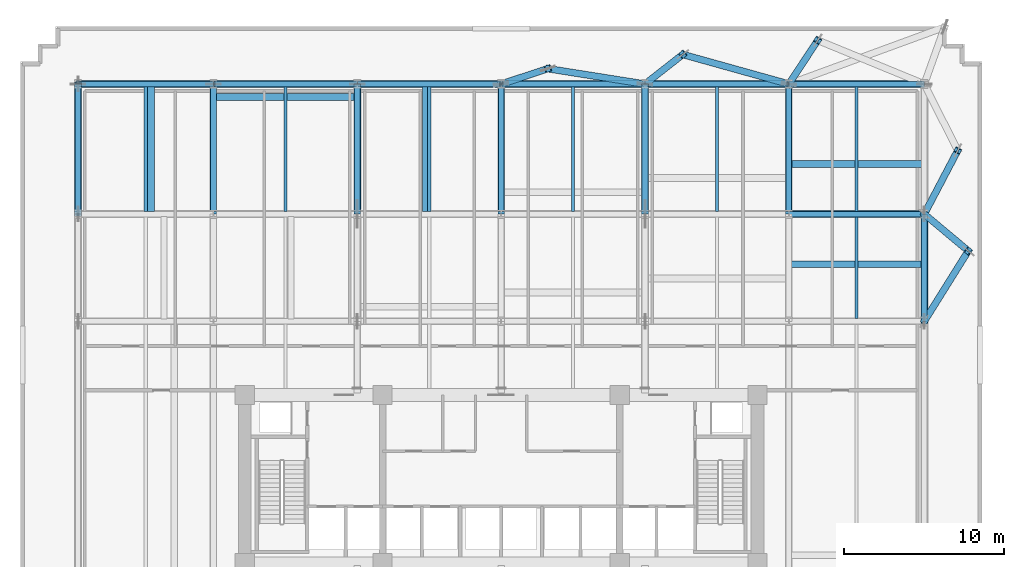
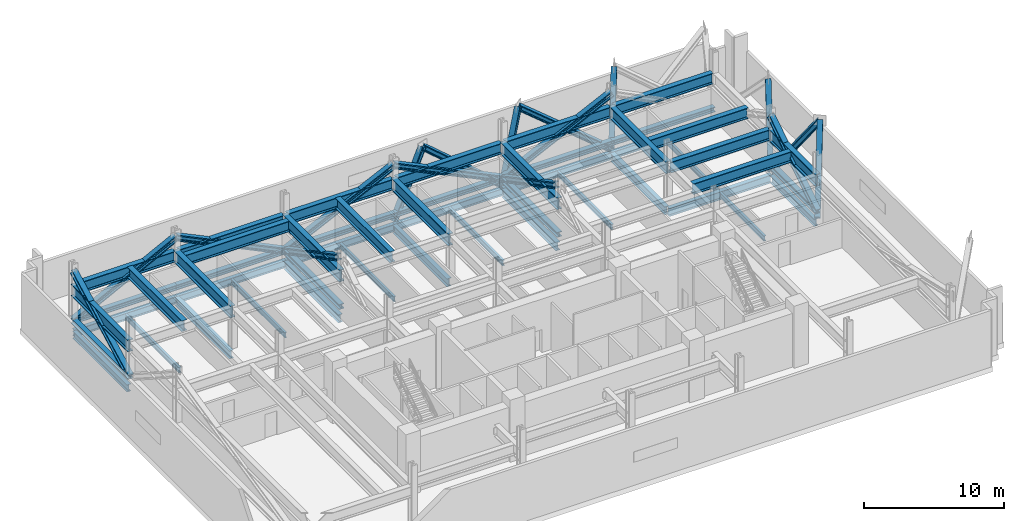
# One storey, part 3 of 9: 40 beams, 27 members.
"""IFC4 building model written with IfcOpenShell, lengths in metres."""

from ifc_helpers import new_model, si_unit, direction, frame, origin, origin_2d, place, context, subcontext, project, spatial, i_section, extrude, material, material_profile, profile_set, type_object, element, save


model = new_model("IFC4")

# Units and contexts
model_context = context("Model", 3, precision=1e-05, world=origin(), true_north=direction((0.0, 1.0)))
body_context = subcontext(model_context, "Body", "Model", "MODEL_VIEW")
ifc_project = project(units=[si_unit("LENGTHUNIT", "METRE"), si_unit("AREAUNIT", "SQUARE_METRE"), si_unit("VOLUMEUNIT", "CUBIC_METRE"), si_unit("PLANEANGLEUNIT", "RADIAN"), si_unit("MASSUNIT", "GRAM", prefix="KILO")], contexts=[model_context])

# Site, building, storey
site_placement = place(None, origin())
site = spatial("IfcSite", under=ifc_project, at=site_placement, CompositionType="ELEMENT")
building_placement = place(site_placement, origin())
building = spatial("IfcBuilding", under=site, at=building_placement, Name="Solmavex Isthmus Hotel", CompositionType="ELEMENT")
storey_placement = place(building_placement, frame((0.0, 0.0, 74.699951171875)))
storey = spatial("IfcBuildingStorey", under=building, at=storey_placement, Name="L20", CompositionType="ELEMENT", Elevation=74.699951171875)

# Beams
ifc_material_1 = material(Name="Steel ASTM A992 Grade 50", Category="steel")
ifc_material_profile_1 = material_profile(ifc_material_1, i_section(OverallWidth=0.354736328125, OverallDepth=0.695556640625, WebThickness=0.015380859375, FlangeThickness=0.02490234375, FilletRadius=0.017822265625, at=origin_2d()), Name="W27X146")
ifc_profile_set_1 = profile_set([ifc_material_profile_1], Name="Steel ASTM A992 Grade 50")
beam_type_1 = type_object("IfcBeamType", Name="BM-BG-W27X146", PredefinedType="BEAM", material=ifc_profile_set_1)
beam_1_placement = place(storey_placement, frame((17.951904296875, 8.7880859375, -0.797607421875), z_axis=(1.0, 0.0, 0.0), x_axis=(0.0, 1.0, 0.0)))
element("IfcBeam", 1, at=beam_1_placement, inside=storey, type_object=beam_type_1, Name="Floor Girder L20-UG18", PredefinedType="BEAM", context=body_context, shape_type="SweptSolid", body=[
    extrude(i_section(OverallWidth=0.354736328125, OverallDepth=0.695556640625, WebThickness=0.015380859375, FlangeThickness=0.02490234375, FilletRadius=0.017822265625, at=origin_2d()), origin(), (0.0, 0.0, 1.0), 8.447998046875),
])
for number, where, z_axis, x_axis, name in (
    (2, (-17.951904296875, 8.96533203125, -0.797607421875), (0.0, 1.0, 0.0), (-1.0, 0.0, 0.0), "Floor Beam L20-VG30"),
    (3, (-8.97607421875, 8.96533203125, -0.797607421875), (0.0, 1.0, 0.0), (-1.0, 0.0, 0.0), "Floor Beam L20-VG34"),
    (4, (0.0, 8.96533203125, -0.797607421875), (0.0, 1.0, 0.0), (-1.0, 0.0, 0.0), "Floor Beam L20-VG38"),
    (5, (8.97607421875, 8.96533203125, -0.797607421875), (0.0, 1.0, 0.0), (-1.0, 0.0, 0.0), "Floor Beam L20-VG42"),
    (6, (17.951904296875, 8.96533203125, -0.797607421875), (0.0, 1.0, 0.0), (-1.0, 0.0, 0.0), "Floor Beam L20-VG45"),
):
    element("IfcBeam", number, at=place(storey_placement, frame(where, z_axis=z_axis, x_axis=x_axis)), inside=storey, type_object=beam_type_1, Name=name, PredefinedType="BEAM", context=body_context, shape_type="SweptSolid", body=[
        extrude(i_section(OverallWidth=0.354736328125, OverallDepth=0.695556640625, WebThickness=0.015380859375, FlangeThickness=0.02490234375, FilletRadius=0.017822265625, at=origin_2d()), origin(), (0.0, 0.0, 1.0), 7.771484375),
    ])
ifc_material_profile_2 = material_profile(ifc_material_1, i_section(OverallWidth=0.1904296875, OverallDepth=0.456787109375, WebThickness=0.009033203125, FlangeThickness=0.014404296875, FilletRadius=0.0126953125, at=origin_2d()), Name="W18X50")
ifc_profile_set_2 = profile_set([ifc_material_profile_2], Name="Steel ASTM A992 Grade 50")
beam_type_2 = type_object("IfcBeamType", Name="BM-BJ-W18X50", PredefinedType="JOIST", material=ifc_profile_set_2)
for number, where, z_axis, x_axis, name in (
    (7, (-22.176025390625, 8.96533203125, -0.678466796875), (0.0, 1.0, 0.0), (-1.0, 0.0, 0.0), "Secondary Floor Joist L20-J03"),
    (8, (-13.464111328125, 8.96533203125, -0.678466796875), (0.0, 1.0, 0.0), (-1.0, 0.0, 0.0), "Secondary Floor Joist L20-J07"),
    (9, (-4.488037109375, 8.96533203125, -0.678466796875), (0.0, 1.0, 0.0), (-1.0, 0.0, 0.0), "Secondary Floor Joist L20-J11"),
    (10, (4.488037109375, 8.96533203125, -0.678466796875), (0.0, 1.0, 0.0), (-1.0, 0.0, 0.0), "Secondary Floor Joist L20-J15"),
    (11, (13.464111328125, 8.96533203125, -0.678466796875), (0.0, 1.0, 0.0), (-1.0, 0.0, 0.0), "Secondary Floor Joist L20-J19"),
):
    element("IfcBeam", number, at=place(storey_placement, frame(where, z_axis=z_axis, x_axis=x_axis)), inside=storey, type_object=beam_type_2, Name=name, PredefinedType="JOIST", context=body_context, shape_type="SweptSolid", body=[
        extrude(i_section(OverallWidth=0.1904296875, OverallDepth=0.456787109375, WebThickness=0.009033203125, FlangeThickness=0.014404296875, FilletRadius=0.0126953125, at=origin_2d()), origin(), (0.0, 0.0, 1.0), 7.771484375),
    ])
beam_2_placement = place(storey_placement, frame((22.176025390625, 2.27734375, -0.678466796875), z_axis=(0.0, 1.0, 0.0), x_axis=(-1.0, 0.0, 0.0)))
element("IfcBeam", 12, at=beam_2_placement, inside=storey, type_object=beam_type_2, Name="Secondary Floor Joist L20-J21", PredefinedType="JOIST", context=body_context, shape_type="SweptSolid", body=[
    extrude(i_section(OverallWidth=0.1904296875, OverallDepth=0.456787109375, WebThickness=0.009033203125, FlangeThickness=0.014404296875, FilletRadius=0.0126953125, at=origin_2d()), origin(), (0.0, 0.0, 1.0), 6.333251953125),
])
beam_3_placement = place(storey_placement, frame((22.176025390625, 8.96533203125, -0.678466796875), z_axis=(0.0, 1.0, 0.0), x_axis=(-1.0, 0.0, 0.0)))
element("IfcBeam", 13, at=beam_3_placement, inside=storey, type_object=beam_type_2, Name="Secondary Floor Joist L20-J22", PredefinedType="JOIST", context=body_context, shape_type="SweptSolid", body=[
    extrude(i_section(OverallWidth=0.1904296875, OverallDepth=0.456787109375, WebThickness=0.009033203125, FlangeThickness=0.014404296875, FilletRadius=0.0126953125, at=origin_2d()), origin(), (0.0, 0.0, 1.0), 7.771484375),
])
ifc_material_profile_3 = material_profile(ifc_material_1, i_section(OverallWidth=0.326416015625, OverallDepth=0.621826171875, WebThickness=0.015380859375, FlangeThickness=0.0244140625, FilletRadius=0.01513671875, at=origin_2d()), Name="W24X131")
ifc_profile_set_3 = profile_set([ifc_material_profile_3], Name="Steel ASTM A992 Grade 50")
beam_type_3 = type_object("IfcBeamType", Name="BM-SP-W24X131", PredefinedType="SPANDREL", material=ifc_profile_set_3)
beam_4_placement = place(storey_placement, frame((-26.39990234375, 16.89990234375, -0.7607421875), z_axis=(1.0, 0.0, 0.0), x_axis=(0.0, 1.0, 0.0)))
element("IfcBeam", 14, at=beam_4_placement, inside=storey, type_object=beam_type_3, Name="Floor Girder L20-UG19", PredefinedType="SPANDREL", context=body_context, shape_type="SweptSolid", body=[
    extrude(i_section(OverallWidth=0.326416015625, OverallDepth=0.621826171875, WebThickness=0.015380859375, FlangeThickness=0.0244140625, FilletRadius=0.01513671875, at=origin_2d()), origin(), (0.0, 0.0, 1.0), 8.447998046875),
])
beam_5_placement = place(storey_placement, frame((-17.951904296875, 16.89990234375, -0.7607421875), z_axis=(1.0, 0.0, 0.0), x_axis=(0.0, 1.0, 0.0)))
element("IfcBeam", 15, at=beam_5_placement, inside=storey, type_object=beam_type_3, Name="Floor Girder L20-UG20", PredefinedType="SPANDREL", context=body_context, shape_type="SweptSolid", body=[
    extrude(i_section(OverallWidth=0.326416015625, OverallDepth=0.621826171875, WebThickness=0.015380859375, FlangeThickness=0.0244140625, FilletRadius=0.01513671875, at=origin_2d()), origin(), (0.0, 0.0, 1.0), 8.975830078125),
])
for number, where, z_axis, x_axis, name in (
    (16, (-8.97607421875, 16.89990234375, -0.7607421875), (1.0, 0.0, 0.0), (0.0, 1.0, 0.0), "Floor Girder L20-UG21"),
    (17, (0.0, 16.89990234375, -0.7607421875), (1.0, 0.0, 0.0), (0.0, 1.0, 0.0), "Floor Girder L20-UG22"),
):
    element("IfcBeam", number, at=place(storey_placement, frame(where, z_axis=z_axis, x_axis=x_axis)), inside=storey, type_object=beam_type_3, Name=name, PredefinedType="SPANDREL", context=body_context, shape_type="SweptSolid", body=[
        extrude(i_section(OverallWidth=0.326416015625, OverallDepth=0.621826171875, WebThickness=0.015380859375, FlangeThickness=0.0244140625, FilletRadius=0.01513671875, at=origin_2d()), origin(), (0.0, 0.0, 1.0), 8.97607421875),
    ])
beam_6_placement = place(storey_placement, frame((8.97607421875, 16.89990234375, -0.7607421875), z_axis=(1.0, 0.0, 0.0), x_axis=(0.0, 1.0, 0.0)))
element("IfcBeam", 18, at=beam_6_placement, inside=storey, type_object=beam_type_3, Name="Floor Girder L20-UG23", PredefinedType="SPANDREL", context=body_context, shape_type="SweptSolid", body=[
    extrude(i_section(OverallWidth=0.326416015625, OverallDepth=0.621826171875, WebThickness=0.015380859375, FlangeThickness=0.0244140625, FilletRadius=0.01513671875, at=origin_2d()), origin(), (0.0, 0.0, 1.0), 8.975830078125),
])
beam_7_placement = place(storey_placement, frame((17.951904296875, 16.89990234375, -0.7607421875), z_axis=(1.0, 0.0, 0.0), x_axis=(0.0, 1.0, 0.0)))
element("IfcBeam", 19, at=beam_7_placement, inside=storey, type_object=beam_type_3, Name="Floor Girder L20-UG24", PredefinedType="SPANDREL", context=body_context, shape_type="SweptSolid", body=[
    extrude(i_section(OverallWidth=0.326416015625, OverallDepth=0.621826171875, WebThickness=0.015380859375, FlangeThickness=0.0244140625, FilletRadius=0.01513671875, at=origin_2d()), origin(), (0.0, 0.0, 1.0), 8.447998046875),
])
beam_8_placement = place(storey_placement, frame((-26.39990234375, 8.96533203125, -0.7607421875), z_axis=(0.0, 1.0, 0.0), x_axis=(-1.0, 0.0, 0.0)))
element("IfcBeam", 20, at=beam_8_placement, inside=storey, type_object=beam_type_3, Name="Floor Beam L20-VG27", PredefinedType="SPANDREL", context=body_context, shape_type="SweptSolid", body=[
    extrude(i_section(OverallWidth=0.326416015625, OverallDepth=0.621826171875, WebThickness=0.015380859375, FlangeThickness=0.0244140625, FilletRadius=0.01513671875, at=origin_2d()), origin(), (0.0, 0.0, 1.0), 7.771484375),
])
beam_9_placement = place(storey_placement, frame((26.39990234375, 2.27734375, -0.7607421875), z_axis=(0.0, 1.0, 0.0), x_axis=(-1.0, 0.0, 0.0)))
element("IfcBeam", 21, at=beam_9_placement, inside=storey, type_object=beam_type_3, Name="Floor Beam L20-VG47", PredefinedType="SPANDREL", context=body_context, shape_type="SweptSolid", body=[
    extrude(i_section(OverallWidth=0.326416015625, OverallDepth=0.621826171875, WebThickness=0.015380859375, FlangeThickness=0.0244140625, FilletRadius=0.01513671875, at=origin_2d()), origin(), (0.0, 0.0, 1.0), 6.333251953125),
])
ifc_material_2 = material(Name="Steel ASTM A913 Grade 65", Category="steel")
ifc_material_profile_4 = material_profile(ifc_material_2, i_section(OverallWidth=0.423095703125, OverallDepth=0.93896484375, WebThickness=0.02392578125, FlangeThickness=0.042724609375, FilletRadius=0.024169921875, at=origin_2d()), Name="W36X302")
ifc_profile_set_4 = profile_set([ifc_material_profile_4], Name="Steel ASTM A913 Grade 65")
beam_type_4 = type_object("IfcBeamType", Name="BM-TB-W36X302", PredefinedType="BEAM", material=ifc_profile_set_4)
for number, where, z_axis, x_axis, name in (
    (22, (18.10693359375, 8.7880859375, 3.1005859375), (1.0, 0.0, 0.0), (0.0, 1.0, 0.0), "Horizontal Outrigger Collector Girder L20-XLC37"),
    (23, (-26.2451171875, 16.89990234375, 3.1005859375), (1.0, 0.0, 0.0), (0.0, 1.0, 0.0), "Horizontal Outrigger Collector Girder L20-XLC38"),
):
    element("IfcBeam", number, at=place(storey_placement, frame(where, z_axis=z_axis, x_axis=x_axis)), inside=storey, type_object=beam_type_4, Name=name, PredefinedType="BEAM", context=body_context, shape_type="SweptSolid", body=[
        extrude(i_section(OverallWidth=0.423095703125, OverallDepth=0.93896484375, WebThickness=0.02392578125, FlangeThickness=0.042724609375, FilletRadius=0.024169921875, at=origin_2d()), origin(), (0.0, 0.0, 1.0), 8.13818359375),
    ])
for number, where, z_axis, x_axis, name in (
    (24, (-17.797119140625, 16.89990234375, 3.1005859375), (1.0, 0.0, 0.0), (0.0, 1.0, 0.0), "Horizontal Outrigger Collector Girder L20-XLC39"),
    (25, (-8.821044921875, 16.89990234375, 3.1005859375), (1.0, 0.0, 0.0), (0.0, 1.0, 0.0), "Horizontal Outrigger Collector Girder L20-XLC40"),
    (26, (0.155029296875, 16.89990234375, 3.1005859375), (1.0, 0.0, 0.0), (0.0, 1.0, 0.0), "Horizontal Outrigger Collector Girder L20-XLC41"),
    (27, (9.131103515625, 16.89990234375, 3.1005859375), (1.0, 0.0, 0.0), (0.0, 1.0, 0.0), "Horizontal Outrigger Collector Girder L20-XLC42"),
):
    element("IfcBeam", number, at=place(storey_placement, frame(where, z_axis=z_axis, x_axis=x_axis)), inside=storey, type_object=beam_type_4, Name=name, PredefinedType="BEAM", context=body_context, shape_type="SweptSolid", body=[
        extrude(i_section(OverallWidth=0.423095703125, OverallDepth=0.93896484375, WebThickness=0.02392578125, FlangeThickness=0.042724609375, FilletRadius=0.024169921875, at=origin_2d()), origin(), (0.0, 0.0, 1.0), 8.666015625),
    ])
beam_10_placement = place(storey_placement, frame((18.10693359375, 16.89990234375, 3.1005859375), z_axis=(1.0, 0.0, 0.0), x_axis=(0.0, 1.0, 0.0)))
element("IfcBeam", 28, at=beam_10_placement, inside=storey, type_object=beam_type_4, Name="Horizontal Outrigger Collector Girder L20-XLC43", PredefinedType="BEAM", context=body_context, shape_type="SweptSolid", body=[
    extrude(i_section(OverallWidth=0.423095703125, OverallDepth=0.93896484375, WebThickness=0.02392578125, FlangeThickness=0.042724609375, FilletRadius=0.024169921875, at=origin_2d()), origin(), (0.0, 0.0, 1.0), 8.13818359375),
])
beam_11_placement = place(storey_placement, frame((-21.851806640625, 8.943115234375, 3.1005859375), z_axis=(0.0, 1.0, 0.0), x_axis=(-1.0, 0.0, 0.0)))
element("IfcBeam", 29, at=beam_11_placement, inside=storey, type_object=beam_type_4, Name="Horizontal Outrigger Collector Girder L20-XLC46", PredefinedType="BEAM", context=body_context, shape_type="SweptSolid", body=[
    extrude(i_section(OverallWidth=0.423095703125, OverallDepth=0.93896484375, WebThickness=0.02392578125, FlangeThickness=0.042724609375, FilletRadius=0.024169921875, at=origin_2d()), origin(), (0.0, 0.0, 1.0), 7.802001953125),
])
beam_12_placement = place(storey_placement, frame((-17.797119140625, 16.091552734375, 3.1005859375), z_axis=(1.0, 0.0, 0.0), x_axis=(0.0, 1.0, 0.0)))
element("IfcBeam", 30, at=beam_12_placement, inside=storey, type_object=beam_type_4, Name="Horizontal Outrigger Collector Girder L20-XLC49", PredefinedType="BEAM", context=body_context, shape_type="SweptSolid", body=[
    extrude(i_section(OverallWidth=0.423095703125, OverallDepth=0.93896484375, WebThickness=0.02392578125, FlangeThickness=0.042724609375, FilletRadius=0.024169921875, at=origin_2d()), origin(), (0.0, 0.0, 1.0), 8.666015625),
])
beam_13_placement = place(storey_placement, frame((-4.697509765625, 8.943115234375, 3.1005859375), z_axis=(0.0, 1.0, 0.0), x_axis=(-1.0, 0.0, 0.0)))
element("IfcBeam", 31, at=beam_13_placement, inside=storey, type_object=beam_type_4, Name="Horizontal Outrigger Collector Girder L20-XLC52", PredefinedType="BEAM", context=body_context, shape_type="SweptSolid", body=[
    extrude(i_section(OverallWidth=0.423095703125, OverallDepth=0.93896484375, WebThickness=0.02392578125, FlangeThickness=0.042724609375, FilletRadius=0.024169921875, at=origin_2d()), origin(), (0.0, 0.0, 1.0), 7.802001953125),
])
for number, where, z_axis, x_axis, name in (
    (32, (18.10693359375, 5.658447265625, 3.1005859375), (1.0, 0.0, 0.0), (0.0, 1.0, 0.0), "Horizontal Outrigger Collector Girder L20-XLC59"),
    (33, (18.10693359375, 11.921875, 3.1005859375), (1.0, 0.0, 0.0), (0.0, 1.0, 0.0), "Horizontal Outrigger Collector Girder L20-XLC60"),
):
    element("IfcBeam", number, at=place(storey_placement, frame(where, z_axis=z_axis, x_axis=x_axis)), inside=storey, type_object=beam_type_4, Name=name, PredefinedType="BEAM", context=body_context, shape_type="SweptSolid", body=[
        extrude(i_section(OverallWidth=0.423095703125, OverallDepth=0.93896484375, WebThickness=0.02392578125, FlangeThickness=0.042724609375, FilletRadius=0.024169921875, at=origin_2d()), origin(), (0.0, 0.0, 1.0), 8.13818359375),
    ])
ifc_material_profile_5 = material_profile(ifc_material_2, i_section(OverallWidth=0.409423828125, OverallDepth=1.036376953125, WebThickness=0.031005859375, FlangeThickness=0.055908203125, FilletRadius=0.030517578125, at=origin_2d()), Name="W40X397")
ifc_profile_set_5 = profile_set([ifc_material_profile_5], Name="Steel ASTM A913 Grade 65")
beam_type_5 = type_object("IfcBeamType", Name="BM-TB-W40X397B", PredefinedType="BEAM", material=ifc_profile_set_5)
for number, where, z_axis, x_axis, name in (
    (34, (-26.39990234375, 8.7880859375, 3.052001953125), (0.0, 1.0, 0.0), (-1.0, 0.0, 0.0), "Horizontal Transfer Carrier Girder L20-XLC03"),
    (35, (-17.951904296875, 8.7880859375, 3.052001953125), (0.0, 1.0, 0.0), (-1.0, 0.0, 0.0), "Horizontal Transfer Carrier Girder L20-XLC06"),
    (36, (-8.97607421875, 8.7880859375, 3.052001953125), (0.0, 1.0, 0.0), (-1.0, 0.0, 0.0), "Horizontal Transfer Carrier Girder L20-XLC10"),
    (37, (0.0, 8.7880859375, 3.052001953125), (0.0, 1.0, 0.0), (-1.0, 0.0, 0.0), "Horizontal Transfer Carrier Girder L20-XLC14"),
    (38, (8.97607421875, 8.7880859375, 3.052001953125), (0.0, 1.0, 0.0), (-1.0, 0.0, 0.0), "Horizontal Transfer Carrier Girder L20-XLC18"),
    (39, (17.951904296875, 8.7880859375, 3.052001953125), (0.0, 1.0, 0.0), (-1.0, 0.0, 0.0), "Horizontal Transfer Carrier Girder L20-XLC21"),
):
    element("IfcBeam", number, at=place(storey_placement, frame(where, z_axis=z_axis, x_axis=x_axis)), inside=storey, type_object=beam_type_5, Name=name, PredefinedType="BEAM", context=body_context, shape_type="SweptSolid", body=[
        extrude(i_section(OverallWidth=0.409423828125, OverallDepth=1.036376953125, WebThickness=0.031005859375, FlangeThickness=0.055908203125, FilletRadius=0.030517578125, at=origin_2d()), origin(), (0.0, 0.0, 1.0), 8.11181640625),
    ])
beam_14_placement = place(storey_placement, frame((26.39990234375, 2.10009765625, 3.052001953125), z_axis=(0.0, 1.0, 0.0), x_axis=(-1.0, 0.0, 0.0)))
element("IfcBeam", 40, at=beam_14_placement, inside=storey, type_object=beam_type_5, Name="Horizontal Transfer Carrier Girder L20-XLC23", PredefinedType="BEAM", context=body_context, shape_type="SweptSolid", body=[
    extrude(i_section(OverallWidth=0.409423828125, OverallDepth=1.036376953125, WebThickness=0.031005859375, FlangeThickness=0.055908203125, FilletRadius=0.030517578125, at=origin_2d()), origin(), (0.0, 0.0, 1.0), 6.68798828125),
])

# Members
ifc_material_profile_6 = material_profile(ifc_material_2, i_section(OverallWidth=0.412109375, OverallDepth=0.434814453125, WebThickness=0.035888671875, FlangeThickness=0.057373046875, FilletRadius=0.030517578125, at=origin_2d()), Name="W14X311")
ifc_profile_set_6 = profile_set([ifc_material_profile_6], Name="Steel ASTM A913 Grade 65")
member_type_1 = type_object("IfcMemberType", Name="MEM-TC-W14X311", PredefinedType="CHORD", material=ifc_profile_set_6)
member_1_placement = place(storey_placement, frame((-26.39990234375, 16.89990234375, 0.35009765625), z_axis=(1.0, 0.0, 0.0), x_axis=(0.0, 1.0, 0.0)))
element("IfcMember", 41, at=member_1_placement, inside=storey, type_object=member_type_1, Name="Outrigger and Belt Transfer Truss Bottom Chord BT-L20-N-01", PredefinedType="CHORD", context=body_context, shape_type="SweptSolid", body=[
    extrude(i_section(OverallWidth=0.412109375, OverallDepth=0.434814453125, WebThickness=0.035888671875, FlangeThickness=0.057373046875, FilletRadius=0.030517578125, at=origin_2d()), origin(), (0.0, 0.0, 1.0), 8.447998046875),
])
member_2_placement = place(storey_placement, frame((-17.951904296875, 16.89990234375, 0.35009765625), z_axis=(1.0, 0.0, 0.0), x_axis=(0.0, 1.0, 0.0)))
element("IfcMember", 42, at=member_2_placement, inside=storey, type_object=member_type_1, Name="Outrigger and Belt Transfer Truss Bottom Chord BT-L20-N-02", PredefinedType="CHORD", context=body_context, shape_type="SweptSolid", body=[
    extrude(i_section(OverallWidth=0.412109375, OverallDepth=0.434814453125, WebThickness=0.035888671875, FlangeThickness=0.057373046875, FilletRadius=0.030517578125, at=origin_2d()), origin(), (0.0, 0.0, 1.0), 8.975830078125),
])
for number, where, z_axis, x_axis, name in (
    (43, (-8.97607421875, 16.89990234375, 0.35009765625), (1.0, 0.0, 0.0), (0.0, 1.0, 0.0), "Outrigger and Belt Transfer Truss Bottom Chord BT-L20-N-03"),
    (44, (0.0, 16.89990234375, 0.35009765625), (1.0, 0.0, 0.0), (0.0, 1.0, 0.0), "Outrigger and Belt Transfer Truss Bottom Chord BT-L20-N-04"),
):
    element("IfcMember", number, at=place(storey_placement, frame(where, z_axis=z_axis, x_axis=x_axis)), inside=storey, type_object=member_type_1, Name=name, PredefinedType="CHORD", context=body_context, shape_type="SweptSolid", body=[
        extrude(i_section(OverallWidth=0.412109375, OverallDepth=0.434814453125, WebThickness=0.035888671875, FlangeThickness=0.057373046875, FilletRadius=0.030517578125, at=origin_2d()), origin(), (0.0, 0.0, 1.0), 8.97607421875),
    ])
member_3_placement = place(storey_placement, frame((8.97607421875, 16.89990234375, 0.35009765625), z_axis=(1.0, 0.0, 0.0), x_axis=(0.0, 1.0, 0.0)))
element("IfcMember", 45, at=member_3_placement, inside=storey, type_object=member_type_1, Name="Outrigger and Belt Transfer Truss Bottom Chord BT-L20-N-05", PredefinedType="CHORD", context=body_context, shape_type="SweptSolid", body=[
    extrude(i_section(OverallWidth=0.412109375, OverallDepth=0.434814453125, WebThickness=0.035888671875, FlangeThickness=0.057373046875, FilletRadius=0.030517578125, at=origin_2d()), origin(), (0.0, 0.0, 1.0), 8.975830078125),
])
member_4_placement = place(storey_placement, frame((17.951904296875, 16.89990234375, 0.35009765625), z_axis=(1.0, 0.0, 0.0), x_axis=(0.0, 1.0, 0.0)))
element("IfcMember", 46, at=member_4_placement, inside=storey, type_object=member_type_1, Name="Outrigger and Belt Transfer Truss Bottom Chord BT-L20-N-06", PredefinedType="CHORD", context=body_context, shape_type="SweptSolid", body=[
    extrude(i_section(OverallWidth=0.412109375, OverallDepth=0.434814453125, WebThickness=0.035888671875, FlangeThickness=0.057373046875, FilletRadius=0.030517578125, at=origin_2d()), origin(), (0.0, 0.0, 1.0), 8.447998046875),
])
member_5_placement = place(storey_placement, frame((-26.39990234375, 8.7880859375, 0.35009765625), z_axis=(0.0, 1.0, 0.0), x_axis=(-1.0, 0.0, 0.0)))
element("IfcMember", 47, at=member_5_placement, inside=storey, type_object=member_type_1, Name="Outrigger and Belt Transfer Truss Bottom Chord BT-L20-W-09", PredefinedType="CHORD", context=body_context, shape_type="SweptSolid", body=[
    extrude(i_section(OverallWidth=0.412109375, OverallDepth=0.434814453125, WebThickness=0.035888671875, FlangeThickness=0.057373046875, FilletRadius=0.030517578125, at=origin_2d()), origin(), (0.0, 0.0, 1.0), 8.11181640625),
])
member_6_placement = place(storey_placement, frame((26.39990234375, 2.10009765625, 0.35009765625), z_axis=(0.0, 1.0, 0.0), x_axis=(-1.0, 0.0, 0.0)))
element("IfcMember", 48, at=member_6_placement, inside=storey, type_object=member_type_1, Name="Outrigger and Belt Transfer Truss Bottom Chord BT-L20-E-11", PredefinedType="CHORD", context=body_context, shape_type="SweptSolid", body=[
    extrude(i_section(OverallWidth=0.412109375, OverallDepth=0.434814453125, WebThickness=0.035888671875, FlangeThickness=0.057373046875, FilletRadius=0.030517578125, at=origin_2d()), origin(), (0.0, 0.0, 1.0), 6.68798828125),
])
for number, where, z_axis, x_axis, name in (
    (49, (-8.97607421875, 8.7880859375, 0.35009765625), (0.0, 1.0, 0.0), (-1.0, 0.0, 0.0), "Outrigger and Belt Transfer Truss Bottom Chord OT-L20-W-14"),
    (50, (8.97607421875, 8.7880859375, 0.35009765625), (0.0, 1.0, 0.0), (-1.0, 0.0, 0.0), "Outrigger and Belt Transfer Truss Bottom Chord OT-L20-E-16"),
):
    element("IfcMember", number, at=place(storey_placement, frame(where, z_axis=z_axis, x_axis=x_axis)), inside=storey, type_object=member_type_1, Name=name, PredefinedType="CHORD", context=body_context, shape_type="SweptSolid", body=[
        extrude(i_section(OverallWidth=0.412109375, OverallDepth=0.434814453125, WebThickness=0.035888671875, FlangeThickness=0.057373046875, FilletRadius=0.030517578125, at=origin_2d()), origin(), (0.0, 0.0, 1.0), 8.11181640625),
    ])
ifc_material_profile_7 = material_profile(ifc_material_2, i_section(OverallWidth=0.41845703125, OverallDepth=0.455078125, WebThickness=0.0419921875, FlangeThickness=0.067626953125, FilletRadius=0.030517578125, at=origin_2d()), Name="W14X370")
ifc_profile_set_7 = profile_set([ifc_material_profile_7], Name="Steel ASTM A913 Grade 65")
member_type_2 = type_object("IfcMemberType", Name="MEM-TM-W14X370", PredefinedType="BRACE", material=ifc_profile_set_7)
member_7_placement = place(storey_placement, frame((0.0, 16.89990234375, -0.25), z_axis=(0.503731621684, 0.166361939953, 0.847689895097), x_axis=(-0.313599293485, 0.949555413404, 0.0)))
element("IfcMember", 51, at=member_7_placement, inside=storey, type_object=member_type_2, Name="Perimeter Facade Transfer Bracket L20-FBR01", PredefinedType="BRACE", context=body_context, shape_type="SweptSolid", body=[
    extrude(i_section(OverallWidth=0.41845703125, OverallDepth=0.455078125, WebThickness=0.0419921875, FlangeThickness=0.067626953125, FilletRadius=0.030517578125, at=origin_2d()), origin(), (0.0, 0.0, 1.0), 5.780517578125),
])
member_8_placement = place(storey_placement, frame((8.97607421875, 16.89990234375, -0.25), z_axis=(-0.771957350008, 0.122417971806, 0.623775352148), x_axis=(-0.156624098878, -0.987658286884, 0.0)))
element("IfcMember", 52, at=member_8_placement, inside=storey, type_object=member_type_2, Name="Perimeter Facade Transfer Bracket L20-FBR02", PredefinedType="BRACE", context=body_context, shape_type="SweptSolid", body=[
    extrude(i_section(OverallWidth=0.41845703125, OverallDepth=0.455078125, WebThickness=0.0419921875, FlangeThickness=0.067626953125, FilletRadius=0.030517578125, at=origin_2d()), origin(), (0.0, 0.0, 1.0), 7.855712890625),
])
member_9_placement = place(storey_placement, frame((8.97607421875, 16.89990234375, -0.25), z_axis=(0.410221641683, 0.321612406477, 0.853395374194), x_axis=(-0.616985445696, 0.786974561088, 0.0)))
element("IfcMember", 53, at=member_9_placement, inside=storey, type_object=member_type_2, Name="Perimeter Facade Transfer Bracket L20-FBR03", PredefinedType="BRACE", context=body_context, shape_type="SweptSolid", body=[
    extrude(i_section(OverallWidth=0.41845703125, OverallDepth=0.455078125, WebThickness=0.0419921875, FlangeThickness=0.067626953125, FilletRadius=0.030517578125, at=origin_2d()), origin(), (0.0, 0.0, 1.0), 5.741943359375),
])
member_10_placement = place(storey_placement, frame((17.951904296875, 16.89990234375, -0.25), z_axis=(-0.784308066784, 0.218774429957, 0.580515809582), x_axis=(-0.268682474797, -0.96322880342, 0.0)))
element("IfcMember", 54, at=member_10_placement, inside=storey, type_object=member_type_2, Name="Perimeter Facade Transfer Bracket L20-FBR04", PredefinedType="BRACE", context=body_context, shape_type="SweptSolid", body=[
    extrude(i_section(OverallWidth=0.41845703125, OverallDepth=0.455078125, WebThickness=0.0419921875, FlangeThickness=0.067626953125, FilletRadius=0.030517578125, at=origin_2d()), origin(), (0.0, 0.0, 1.0), 8.44091796875),
])
member_11_placement = place(storey_placement, frame((17.951904296875, 16.89990234375, -0.25), z_axis=(0.305408894344, 0.463624791034, 0.83173160358), x_axis=(-0.835092250132, 0.550109928805, 0.0)))
element("IfcMember", 55, at=member_11_placement, inside=storey, type_object=member_type_2, Name="Perimeter Facade Transfer Bracket L20-FBR05", PredefinedType="BRACE", context=body_context, shape_type="SweptSolid", body=[
    extrude(i_section(OverallWidth=0.41845703125, OverallDepth=0.455078125, WebThickness=0.0419921875, FlangeThickness=0.067626953125, FilletRadius=0.030517578125, at=origin_2d()), origin(), (0.0, 0.0, 1.0), 5.8916015625),
])
member_12_placement = place(storey_placement, frame((26.39990234375, 8.7880859375, -0.25), z_axis=(0.452251415111, -0.378539262755, 0.807574568745), x_axis=(0.641847104612, 0.766832637738, 0.0)))
element("IfcMember", 56, at=member_12_placement, inside=storey, type_object=member_type_2, Name="Perimeter Facade Transfer Bracket L20-FBR08", PredefinedType="BRACE", context=body_context, shape_type="SweptSolid", body=[
    extrude(i_section(OverallWidth=0.41845703125, OverallDepth=0.455078125, WebThickness=0.0419921875, FlangeThickness=0.067626953125, FilletRadius=0.030517578125, at=origin_2d()), origin(), (0.0, 0.0, 1.0), 6.067626953125),
])
member_13_placement = place(storey_placement, frame((26.39990234375, 2.10009765625, -0.25), z_axis=(0.384922740503, 0.615944876396, 0.687347359844), x_axis=(-0.848024791238, 0.529956558074, 0.0)))
element("IfcMember", 57, at=member_13_placement, inside=storey, type_object=member_type_2, Name="Perimeter Facade Transfer Bracket L20-FBR09", PredefinedType="BRACE", context=body_context, shape_type="SweptSolid", body=[
    extrude(i_section(OverallWidth=0.41845703125, OverallDepth=0.455078125, WebThickness=0.0419921875, FlangeThickness=0.067626953125, FilletRadius=0.030517578125, at=origin_2d()), origin(), (0.0, 0.0, 1.0), 7.129150390625),
])
member_14_placement = place(storey_placement, frame((26.39990234375, 8.7880859375, -0.25), z_axis=(0.314124018851, 0.59732829287, 0.737919379958), x_axis=(-0.885076518847, 0.465445545456, 0.0)))
element("IfcMember", 58, at=member_14_placement, inside=storey, type_object=member_type_2, Name="Perimeter Facade Transfer Bracket L20-FBR10", PredefinedType="BRACE", context=body_context, shape_type="SweptSolid", body=[
    extrude(i_section(OverallWidth=0.41845703125, OverallDepth=0.455078125, WebThickness=0.0419921875, FlangeThickness=0.067626953125, FilletRadius=0.030517578125, at=origin_2d()), origin(), (0.0, 0.0, 1.0), 6.640380859375),
])
ifc_material_profile_8 = material_profile(ifc_material_2, i_section(OverallWidth=0.43212890625, OverallDepth=0.497802734375, WebThickness=0.0556640625, FlangeThickness=0.0888671875, FilletRadius=0.030517578125, at=origin_2d()), Name="W14X500")
ifc_profile_set_8 = profile_set([ifc_material_profile_8], Name="Steel ASTM A913 Grade 65")
member_type_3 = type_object("IfcMemberType", Name="MEM-TM-W14X500", PredefinedType="BRACE", material=ifc_profile_set_8)
member_15_placement = place(storey_placement, frame((-26.39990234375, 16.89990234375, 0.35009765625), z_axis=(0.891195109173, 0.0, 0.453620190673), x_axis=(0.0, 1.0, 0.0)))
element("IfcMember", 59, at=member_15_placement, inside=storey, type_object=member_type_3, Name="Outrigger and Belt Transfer Truss Diagonal Brace BT-L20-N-01", PredefinedType="BRACE", context=body_context, shape_type="SweptSolid", body=[
    extrude(i_section(OverallWidth=0.43212890625, OverallDepth=0.497802734375, WebThickness=0.0556640625, FlangeThickness=0.0888671875, FilletRadius=0.030517578125, at=origin_2d()), origin(), (0.0, 0.0, 1.0), 9.4794921875),
])
member_16_placement = place(storey_placement, frame((-17.951904296875, 16.89990234375, 4.650146484375), z_axis=(0.901850080631, 0.0, -0.432049108395), x_axis=(0.0, 1.0, 0.0)))
element("IfcMember", 60, at=member_16_placement, inside=storey, type_object=member_type_3, Name="Outrigger and Belt Transfer Truss Diagonal Brace BT-L20-N-02", PredefinedType="BRACE", context=body_context, shape_type="SweptSolid", body=[
    extrude(i_section(OverallWidth=0.43212890625, OverallDepth=0.497802734375, WebThickness=0.0556640625, FlangeThickness=0.0888671875, FilletRadius=0.030517578125, at=origin_2d()), origin(), (0.0, 0.0, 1.0), 9.95263671875),
])
for number, where, z_axis, x_axis, name in (
    (61, (-8.97607421875, 16.89990234375, 0.35009765625), (0.90185465943, 0.0, 0.432039550578), (0.0, 1.0, 0.0), "Outrigger and Belt Transfer Truss Diagonal Brace BT-L20-N-03"),
    (62, (0.0, 16.89990234375, 4.650146484375), (0.90185465943, 0.0, -0.432039550578), (0.0, 1.0, 0.0), "Outrigger and Belt Transfer Truss Diagonal Brace BT-L20-N-04"),
):
    element("IfcMember", number, at=place(storey_placement, frame(where, z_axis=z_axis, x_axis=x_axis)), inside=storey, type_object=member_type_3, Name=name, PredefinedType="BRACE", context=body_context, shape_type="SweptSolid", body=[
        extrude(i_section(OverallWidth=0.43212890625, OverallDepth=0.497802734375, WebThickness=0.0556640625, FlangeThickness=0.0888671875, FilletRadius=0.030517578125, at=origin_2d()), origin(), (0.0, 0.0, 1.0), 9.952880859375),
    ])
member_17_placement = place(storey_placement, frame((8.97607421875, 16.89990234375, 0.35009765625), z_axis=(0.901850080631, 0.0, 0.432049108395), x_axis=(0.0, 1.0, 0.0)))
element("IfcMember", 63, at=member_17_placement, inside=storey, type_object=member_type_3, Name="Outrigger and Belt Transfer Truss Diagonal Brace BT-L20-N-05", PredefinedType="BRACE", context=body_context, shape_type="SweptSolid", body=[
    extrude(i_section(OverallWidth=0.43212890625, OverallDepth=0.497802734375, WebThickness=0.0556640625, FlangeThickness=0.0888671875, FilletRadius=0.030517578125, at=origin_2d()), origin(), (0.0, 0.0, 1.0), 9.95263671875),
])
member_18_placement = place(storey_placement, frame((-26.39990234375, 8.7880859375, 0.35009765625), z_axis=(0.0, 0.883537468071, 0.468360483511), x_axis=(-1.0, 0.0, 0.0)))
element("IfcMember", 64, at=member_18_placement, inside=storey, type_object=member_type_3, Name="Outrigger and Belt Transfer Truss Diagonal Brace BT-L20-W-09", PredefinedType="BRACE", context=body_context, shape_type="SweptSolid", body=[
    extrude(i_section(OverallWidth=0.43212890625, OverallDepth=0.497802734375, WebThickness=0.0556640625, FlangeThickness=0.0888671875, FilletRadius=0.030517578125, at=origin_2d()), origin(), (0.0, 0.0, 1.0), 9.18115234375),
])
member_19_placement = place(storey_placement, frame((26.39990234375, 2.10009765625, 0.35009765625), z_axis=(0.0, 0.84114255823, 0.540813458352), x_axis=(-1.0, 0.0, 0.0)))
element("IfcMember", 65, at=member_19_placement, inside=storey, type_object=member_type_3, Name="Outrigger and Belt Transfer Truss Diagonal Brace BT-L20-E-11", PredefinedType="BRACE", context=body_context, shape_type="SweptSolid", body=[
    extrude(i_section(OverallWidth=0.43212890625, OverallDepth=0.497802734375, WebThickness=0.0556640625, FlangeThickness=0.0888671875, FilletRadius=0.030517578125, at=origin_2d()), origin(), (0.0, 0.0, 1.0), 7.951171875),
])
for number, where, z_axis, x_axis, name in (
    (66, (-8.97607421875, 9.1943359375, 4.4345703125), (0.0, 0.883548110811, -0.46834040599), (-1.0, 0.0, 0.0), "Outrigger and Belt Transfer Truss Diagonal Brace OT-L20-W-14"),
    (67, (8.97607421875, 9.1943359375, 4.4345703125), (0.0, 0.883548110811, -0.46834040599), (-1.0, 0.0, 0.0), "Outrigger and Belt Transfer Truss Diagonal Brace OT-L20-E-16"),
):
    element("IfcMember", number, at=place(storey_placement, frame(where, z_axis=z_axis, x_axis=x_axis)), inside=storey, type_object=member_type_3, Name=name, PredefinedType="BRACE", context=body_context, shape_type="SweptSolid", body=[
        extrude(i_section(OverallWidth=0.43212890625, OverallDepth=0.497802734375, WebThickness=0.0556640625, FlangeThickness=0.0888671875, FilletRadius=0.030517578125, at=origin_2d()), origin(), (0.0, 0.0, 1.0), 8.72119140625),
    ])

save(model, "model.ifc")
